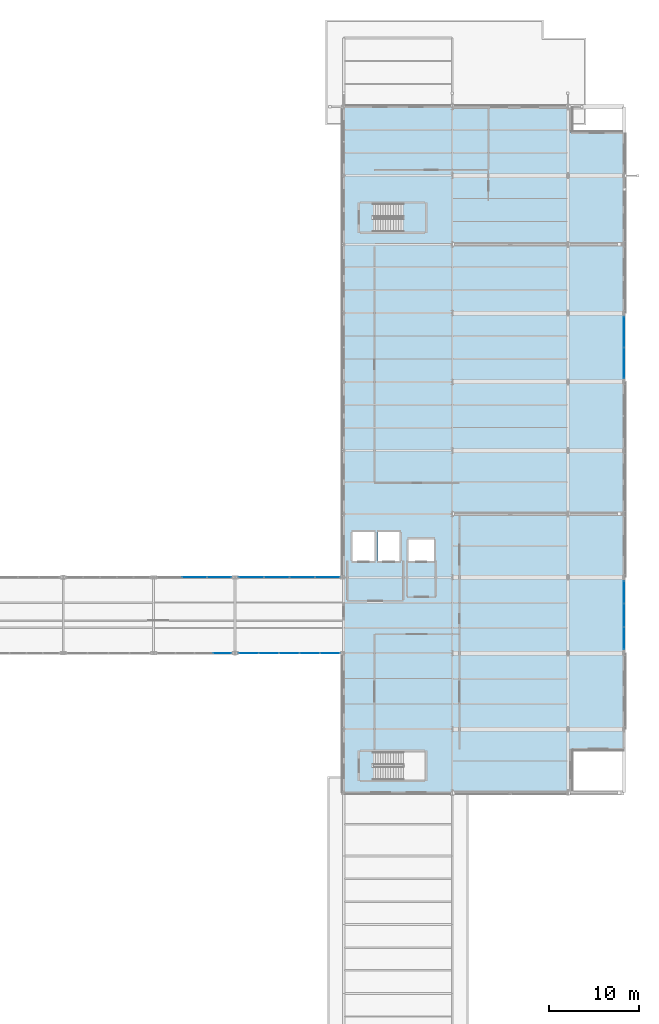
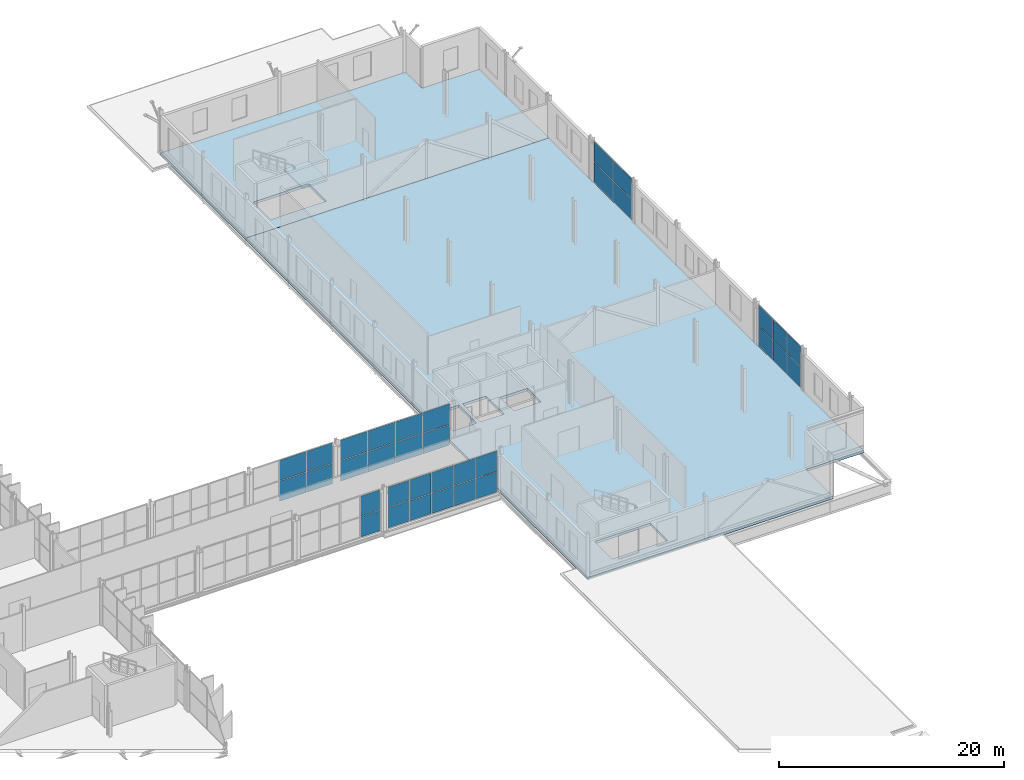
# One storey, part 85 of 120: 34 plates, 3 slabs, 7 elements without a shape of their own.
"""IFC4 building model written with IfcOpenShell, lengths in metres."""

from ifc_helpers import new_model, si_unit, direction, frame, origin, origin_2d, place, context, subcontext, project, spatial, polyline, rectangle, outline, extrude, material, layer, layer_set, type_object, element, aggregate, save


model = new_model("IFC4")

# Units and contexts
model_context = context("Model", 3, precision=1e-05, world=origin(), true_north=direction((0.0, 1.0)))
body_context = subcontext(model_context, "Body", "Model", "MODEL_VIEW")
ifc_project = project(units=[si_unit("LENGTHUNIT", "METRE"), si_unit("AREAUNIT", "SQUARE_METRE"), si_unit("VOLUMEUNIT", "CUBIC_METRE"), si_unit("PLANEANGLEUNIT", "RADIAN"), si_unit("MASSUNIT", "GRAM", prefix="KILO")], contexts=[model_context])

# Site, building, storey
site_placement = place(None, origin())
site = spatial("IfcSite", under=ifc_project, at=site_placement, CompositionType="ELEMENT")
building_placement = place(site_placement, origin())
building = spatial("IfcBuilding", under=site, at=building_placement, Name="Vekula Escarpment Museum", CompositionType="ELEMENT")
storey_placement = place(building_placement, frame((0.0, 0.0, 13.199951171875)))
storey = spatial("IfcBuildingStorey", under=building, at=storey_placement, Name="L03", CompositionType="ELEMENT", Elevation=13.199951171875)

# Curtain wall, plates
ifc_material_1 = material(Name="Aluminium thermally broken framing", Category="aluminium")
ifc_layer_1 = layer(ifc_material_1, 0.139892578125)
ifc_layer_set_1 = layer_set([ifc_layer_1], Name="Aluminium thermally broken framing")
curtain_wall_type_1 = type_object("IfcCurtainWallType", Name="CW-SYS-06", PredefinedType="NOTDEFINED", material=ifc_layer_set_1)
curtain_wall_1_placement = place(storey_placement, origin())
curtain_wall_1 = element("IfcCurtainWall", 1, at=curtain_wall_1_placement, inside=storey, type_object=curtain_wall_type_1, Name="Curtain Wall CW-L03-116", PredefinedType="NOTDEFINED")
ifc_material_2 = material(Name="Double solar-control low-E glass", Category="glass")
ifc_layer_2 = layer(ifc_material_2, 0.028076171875)
ifc_layer_set_2 = layer_set([ifc_layer_2], Name="Double solar-control low-E glass")
plate_type_1 = type_object("IfcPlateType", Name="CW-PNL-28", PredefinedType="CURTAIN_PANEL", material=ifc_layer_set_2)
plate_1_placement = place(storey_placement, frame((198.0, 100.094970703125, 0.06005859375), z_axis=(0.0, 0.0, 1.0), x_axis=(0.0, 1.0, 0.0)))
plate_1 = element("IfcPlate", 2, at=plate_1_placement, type_object=plate_type_1, Name="CW-06 panel 1.1", PredefinedType="CURTAIN_PANEL", context=body_context, shape_type="SweptSolid", body=[
    extrude(rectangle(XDim=3.35009765625, YDim=0.028076171875, at=origin_2d()), origin(), (0.0, 0.0, 1.0), 2.18994140625),
])
plate_2_placement = place(storey_placement, frame((198.0, 100.094970703125, 2.31005859375), z_axis=(0.0, 0.0, 1.0), x_axis=(0.0, 1.0, 0.0)))
plate_2 = element("IfcPlate", 3, at=plate_2_placement, type_object=plate_type_1, Name="CW-06 panel 1.2", PredefinedType="CURTAIN_PANEL", context=body_context, shape_type="SweptSolid", body=[
    extrude(rectangle(XDim=3.35009765625, YDim=0.028076171875, at=origin_2d()), origin(), (0.0, 0.0, 1.0), 2.18994140625),
])
plate_3_placement = place(storey_placement, frame((198.0, 103.5048828125, 0.06005859375), z_axis=(0.0, 0.0, 1.0), x_axis=(0.0, 1.0, 0.0)))
plate_3 = element("IfcPlate", 4, at=plate_3_placement, type_object=plate_type_1, Name="CW-06 panel 2.1", PredefinedType="CURTAIN_PANEL", context=body_context, shape_type="SweptSolid", body=[
    extrude(rectangle(XDim=3.35009765625, YDim=0.028076171875, at=origin_2d()), origin(), (0.0, 0.0, 1.0), 2.18994140625),
])
plate_4_placement = place(storey_placement, frame((198.0, 103.5048828125, 2.31005859375), z_axis=(0.0, 0.0, 1.0), x_axis=(0.0, 1.0, 0.0)))
plate_4 = element("IfcPlate", 5, at=plate_4_placement, type_object=plate_type_1, Name="CW-06 panel 2.2", PredefinedType="CURTAIN_PANEL", context=body_context, shape_type="SweptSolid", body=[
    extrude(rectangle(XDim=3.35009765625, YDim=0.028076171875, at=origin_2d()), origin(), (0.0, 0.0, 1.0), 2.18994140625),
])
aggregate(curtain_wall_1, [plate_1, plate_2, plate_3, plate_4])

ifc_material_3 = material(Name="Aluminium thermally broken framing", Category="aluminium")
ifc_layer_3 = layer(ifc_material_3, 0.199951171875)
ifc_layer_set_3 = layer_set([ifc_layer_3], Name="Aluminium thermally broken framing")
curtain_wall_type_2 = type_object("IfcCurtainWallType", Name="CW-SYS-03", PredefinedType="NOTDEFINED", material=ifc_layer_set_3)
curtain_wall_2_placement = place(storey_placement, origin())
curtain_wall_2 = element("IfcCurtainWall", 6, at=curtain_wall_2_placement, inside=storey, type_object=curtain_wall_type_2, Name="Curtain Wall CW-L03-113", PredefinedType="NOTDEFINED")
ifc_material_4 = material(Name="Acoustic laminated double low-E glass", Category="glass")
ifc_layer_4 = layer(ifc_material_4, 0.031982421875)
ifc_layer_set_4 = layer_set([ifc_layer_4], Name="Acoustic laminated double low-E glass")
plate_type_2 = type_object("IfcPlateType", Name="CW-PNL-32", PredefinedType="CURTAIN_PANEL", material=ifc_layer_set_4)
plate_5_placement = place(storey_placement, frame((153.590087890625, 68.0, 0.06005859375), z_axis=(0.0, 0.0, 1.0), x_axis=(1.0, 0.0, 0.0)))
plate_5 = element("IfcPlate", 7, at=plate_5_placement, type_object=plate_type_2, Name="CW-03 panel 4.1", PredefinedType="CURTAIN_PANEL", context=body_context, shape_type="SweptSolid", body=[
    extrude(rectangle(XDim=1.97998046875, YDim=0.031982421875, at=origin_2d()), origin(), (0.0, 0.0, 1.0), 2.18994140625),
])
plate_6_placement = place(storey_placement, frame((153.590087890625, 68.0, 2.31005859375), z_axis=(0.0, 0.0, 1.0), x_axis=(1.0, 0.0, 0.0)))
plate_6 = element("IfcPlate", 8, at=plate_6_placement, type_object=plate_type_2, Name="CW-03 panel 4.2", PredefinedType="CURTAIN_PANEL", context=body_context, shape_type="SweptSolid", body=[
    extrude(rectangle(XDim=1.97998046875, YDim=0.031982421875, at=origin_2d()), origin(), (0.0, 0.0, 1.0), 2.18994140625),
])
aggregate(curtain_wall_2, [plate_5, plate_6])

ifc_material_5 = material(Name="Aluminium thermally broken framing", Category="aluminium")
ifc_layer_5 = layer(ifc_material_5, 0.179931640625)
ifc_layer_set_5 = layer_set([ifc_layer_5], Name="Aluminium thermally broken framing")
curtain_wall_type_3 = type_object("IfcCurtainWallType", Name="CW-SYS-07", PredefinedType="NOTDEFINED", material=ifc_layer_set_5)
curtain_wall_3_placement = place(storey_placement, origin())
curtain_wall_3 = element("IfcCurtainWall", 9, at=curtain_wall_3_placement, inside=storey, type_object=curtain_wall_type_3, Name="Curtain Wall CW-L03-117", PredefinedType="NOTDEFINED")
plate_7_placement = place(storey_placement, frame((165.215087890625, 76.39990234375, 0.06005859375), z_axis=(0.0, 0.0, 1.0), x_axis=(-1.0, 0.0, 0.0)))
plate_7 = element("IfcPlate", 10, at=plate_7_placement, type_object=plate_type_2, Name="CW-07 panel 1.1", PredefinedType="CURTAIN_PANEL", context=body_context, shape_type="SweptSolid", body=[
    extrude(rectangle(XDim=2.72998046875, YDim=0.031982421875, at=origin_2d()), origin(), (0.0, 0.0, 1.0), 2.18994140625),
])
plate_8_placement = place(storey_placement, frame((165.215087890625, 76.39990234375, 2.31005859375), z_axis=(0.0, 0.0, 1.0), x_axis=(-1.0, 0.0, 0.0)))
plate_8 = element("IfcPlate", 11, at=plate_8_placement, type_object=plate_type_2, Name="CW-07 panel 1.2", PredefinedType="CURTAIN_PANEL", context=body_context, shape_type="SweptSolid", body=[
    extrude(rectangle(XDim=2.72998046875, YDim=0.031982421875, at=origin_2d()), origin(), (0.0, 0.0, 1.0), 2.18994140625),
])
plate_9_placement = place(storey_placement, frame((162.409912109375, 76.39990234375, 0.06005859375), z_axis=(0.0, 0.0, 1.0), x_axis=(-1.0, 0.0, 0.0)))
plate_9 = element("IfcPlate", 12, at=plate_9_placement, type_object=plate_type_2, Name="CW-07 panel 2.1", PredefinedType="CURTAIN_PANEL", context=body_context, shape_type="SweptSolid", body=[
    extrude(rectangle(XDim=2.760009765625, YDim=0.031982421875, at=origin_2d()), origin(), (0.0, 0.0, 1.0), 2.18994140625),
])
plate_10_placement = place(storey_placement, frame((162.409912109375, 76.39990234375, 2.31005859375), z_axis=(0.0, 0.0, 1.0), x_axis=(-1.0, 0.0, 0.0)))
plate_10 = element("IfcPlate", 13, at=plate_10_placement, type_object=plate_type_2, Name="CW-07 panel 2.2", PredefinedType="CURTAIN_PANEL", context=body_context, shape_type="SweptSolid", body=[
    extrude(rectangle(XDim=2.760009765625, YDim=0.031982421875, at=origin_2d()), origin(), (0.0, 0.0, 1.0), 2.18994140625),
])
plate_11_placement = place(storey_placement, frame((159.590087890625, 76.39990234375, 0.06005859375), z_axis=(0.0, 0.0, 1.0), x_axis=(-1.0, 0.0, 0.0)))
plate_11 = element("IfcPlate", 14, at=plate_11_placement, type_object=plate_type_2, Name="CW-07 panel 3.1", PredefinedType="CURTAIN_PANEL", context=body_context, shape_type="SweptSolid", body=[
    extrude(rectangle(XDim=2.760009765625, YDim=0.031982421875, at=origin_2d()), origin(), (0.0, 0.0, 1.0), 2.18994140625),
])
plate_12_placement = place(storey_placement, frame((159.590087890625, 76.39990234375, 2.31005859375), z_axis=(0.0, 0.0, 1.0), x_axis=(-1.0, 0.0, 0.0)))
plate_12 = element("IfcPlate", 15, at=plate_12_placement, type_object=plate_type_2, Name="CW-07 panel 3.2", PredefinedType="CURTAIN_PANEL", context=body_context, shape_type="SweptSolid", body=[
    extrude(rectangle(XDim=2.760009765625, YDim=0.031982421875, at=origin_2d()), origin(), (0.0, 0.0, 1.0), 2.18994140625),
])
plate_13_placement = place(storey_placement, frame((156.784912109375, 76.39990234375, 0.06005859375), z_axis=(0.0, 0.0, 1.0), x_axis=(-1.0, 0.0, 0.0)))
plate_13 = element("IfcPlate", 16, at=plate_13_placement, type_object=plate_type_2, Name="CW-07 panel 4.1", PredefinedType="CURTAIN_PANEL", context=body_context, shape_type="SweptSolid", body=[
    extrude(rectangle(XDim=2.72998046875, YDim=0.031982421875, at=origin_2d()), origin(), (0.0, 0.0, 1.0), 2.18994140625),
])
plate_14_placement = place(storey_placement, frame((156.784912109375, 76.39990234375, 2.31005859375), z_axis=(0.0, 0.0, 1.0), x_axis=(-1.0, 0.0, 0.0)))
plate_14 = element("IfcPlate", 17, at=plate_14_placement, type_object=plate_type_2, Name="CW-07 panel 4.2", PredefinedType="CURTAIN_PANEL", context=body_context, shape_type="SweptSolid", body=[
    extrude(rectangle(XDim=2.72998046875, YDim=0.031982421875, at=origin_2d()), origin(), (0.0, 0.0, 1.0), 2.18994140625),
])
aggregate(curtain_wall_3, [plate_7, plate_8, plate_9, plate_10, plate_11, plate_12, plate_13, plate_14])

ifc_material_6 = material(Name="Aluminium thermally broken framing", Category="aluminium")
ifc_layer_6 = layer(ifc_material_6, 0.199951171875)
ifc_layer_set_6 = layer_set([ifc_layer_6], Name="Aluminium thermally broken framing")
curtain_wall_type_4 = type_object("IfcCurtainWallType", Name="CW-SYS-04", PredefinedType="NOTDEFINED", material=ifc_layer_set_6)
curtain_wall_4_placement = place(storey_placement, origin())
curtain_wall_4 = element("IfcCurtainWall", 18, at=curtain_wall_4_placement, inside=storey, type_object=curtain_wall_type_4, Name="Curtain Wall CW-L03-114", PredefinedType="NOTDEFINED")
ifc_material_7 = material(Name="Triple UV-filtered museum gallery glass", Category="glass")
ifc_layer_7 = layer(ifc_material_7, 0.035888671875)
ifc_layer_set_7 = layer_set([ifc_layer_7], Name="Triple UV-filtered museum gallery glass")
plate_type_3 = type_object("IfcPlateType", Name="CW-PNL-36", PredefinedType="CURTAIN_PANEL", material=ifc_layer_set_7)
plate_15_placement = place(storey_placement, frame((156.5029296875, 68.0, 0.06005859375), z_axis=(0.0, 0.0, 1.0), x_axis=(1.0, 0.0, 0.0)))
plate_15 = element("IfcPlate", 19, at=plate_15_placement, type_object=plate_type_3, Name="CW-04 panel 1.1", PredefinedType="CURTAIN_PANEL", context=body_context, shape_type="SweptSolid", body=[
    extrude(rectangle(XDim=2.166015625, YDim=0.035888671875, at=origin_2d()), origin(), (0.0, 0.0, 1.0), 2.18994140625),
])
plate_16_placement = place(storey_placement, frame((156.5029296875, 68.0, 2.31005859375), z_axis=(0.0, 0.0, 1.0), x_axis=(1.0, 0.0, 0.0)))
plate_16 = element("IfcPlate", 20, at=plate_16_placement, type_object=plate_type_3, Name="CW-04 panel 1.2", PredefinedType="CURTAIN_PANEL", context=body_context, shape_type="SweptSolid", body=[
    extrude(rectangle(XDim=2.166015625, YDim=0.035888671875, at=origin_2d()), origin(), (0.0, 0.0, 1.0), 2.18994140625),
])
plate_17_placement = place(storey_placement, frame((158.743896484375, 68.0, 0.06005859375), z_axis=(0.0, 0.0, 1.0), x_axis=(1.0, 0.0, 0.0)))
plate_17 = element("IfcPlate", 21, at=plate_17_placement, type_object=plate_type_3, Name="CW-04 panel 2.1", PredefinedType="CURTAIN_PANEL", context=body_context, shape_type="SweptSolid", body=[
    extrude(rectangle(XDim=2.196044921875, YDim=0.035888671875, at=origin_2d()), origin(), (0.0, 0.0, 1.0), 2.18994140625),
])
plate_18_placement = place(storey_placement, frame((158.743896484375, 68.0, 2.31005859375), z_axis=(0.0, 0.0, 1.0), x_axis=(1.0, 0.0, 0.0)))
plate_18 = element("IfcPlate", 22, at=plate_18_placement, type_object=plate_type_3, Name="CW-04 panel 2.2", PredefinedType="CURTAIN_PANEL", context=body_context, shape_type="SweptSolid", body=[
    extrude(rectangle(XDim=2.196044921875, YDim=0.035888671875, at=origin_2d()), origin(), (0.0, 0.0, 1.0), 2.18994140625),
])
plate_19_placement = place(storey_placement, frame((161.0, 68.0, 0.06005859375), z_axis=(0.0, 0.0, 1.0), x_axis=(1.0, 0.0, 0.0)))
plate_19 = element("IfcPlate", 23, at=plate_19_placement, type_object=plate_type_3, Name="CW-04 panel 3.1", PredefinedType="CURTAIN_PANEL", context=body_context, shape_type="SweptSolid", body=[
    extrude(rectangle(XDim=2.196044921875, YDim=0.035888671875, at=origin_2d()), origin(), (0.0, 0.0, 1.0), 2.18994140625),
])
plate_20_placement = place(storey_placement, frame((161.0, 68.0, 2.31005859375), z_axis=(0.0, 0.0, 1.0), x_axis=(1.0, 0.0, 0.0)))
plate_20 = element("IfcPlate", 24, at=plate_20_placement, type_object=plate_type_3, Name="CW-04 panel 3.2", PredefinedType="CURTAIN_PANEL", context=body_context, shape_type="SweptSolid", body=[
    extrude(rectangle(XDim=2.196044921875, YDim=0.035888671875, at=origin_2d()), origin(), (0.0, 0.0, 1.0), 2.18994140625),
])
plate_21_placement = place(storey_placement, frame((163.256103515625, 68.0, 0.06005859375), z_axis=(0.0, 0.0, 1.0), x_axis=(1.0, 0.0, 0.0)))
plate_21 = element("IfcPlate", 25, at=plate_21_placement, type_object=plate_type_3, Name="CW-04 panel 4.1", PredefinedType="CURTAIN_PANEL", context=body_context, shape_type="SweptSolid", body=[
    extrude(rectangle(XDim=2.196044921875, YDim=0.035888671875, at=origin_2d()), origin(), (0.0, 0.0, 1.0), 2.18994140625),
])
plate_22_placement = place(storey_placement, frame((163.256103515625, 68.0, 2.31005859375), z_axis=(0.0, 0.0, 1.0), x_axis=(1.0, 0.0, 0.0)))
plate_22 = element("IfcPlate", 26, at=plate_22_placement, type_object=plate_type_3, Name="CW-04 panel 4.2", PredefinedType="CURTAIN_PANEL", context=body_context, shape_type="SweptSolid", body=[
    extrude(rectangle(XDim=2.196044921875, YDim=0.035888671875, at=origin_2d()), origin(), (0.0, 0.0, 1.0), 2.18994140625),
])
plate_23_placement = place(storey_placement, frame((165.4970703125, 68.0, 0.06005859375), z_axis=(0.0, 0.0, 1.0), x_axis=(1.0, 0.0, 0.0)))
plate_23 = element("IfcPlate", 27, at=plate_23_placement, type_object=plate_type_3, Name="CW-04 panel 5.1", PredefinedType="CURTAIN_PANEL", context=body_context, shape_type="SweptSolid", body=[
    extrude(rectangle(XDim=2.166015625, YDim=0.035888671875, at=origin_2d()), origin(), (0.0, 0.0, 1.0), 2.18994140625),
])
plate_24_placement = place(storey_placement, frame((165.4970703125, 68.0, 2.31005859375), z_axis=(0.0, 0.0, 1.0), x_axis=(1.0, 0.0, 0.0)))
plate_24 = element("IfcPlate", 28, at=plate_24_placement, type_object=plate_type_3, Name="CW-04 panel 5.2", PredefinedType="CURTAIN_PANEL", context=body_context, shape_type="SweptSolid", body=[
    extrude(rectangle(XDim=2.166015625, YDim=0.035888671875, at=origin_2d()), origin(), (0.0, 0.0, 1.0), 2.18994140625),
])
aggregate(curtain_wall_4, [plate_15, plate_16, plate_17, plate_18, plate_19, plate_20, plate_21, plate_22, plate_23, plate_24])

ifc_material_8 = material(Name="Aluminium thermally broken framing", Category="aluminium")
ifc_layer_8 = layer(ifc_material_8, 0.179931640625)
ifc_layer_set_8 = layer_set([ifc_layer_8], Name="Aluminium thermally broken framing")
curtain_wall_type_5 = type_object("IfcCurtainWallType", Name="CW-SYS-08", PredefinedType="NOTDEFINED", material=ifc_layer_set_8)
curtain_wall_5_placement = place(storey_placement, origin())
curtain_wall_5 = element("IfcCurtainWall", 29, at=curtain_wall_5_placement, inside=storey, type_object=curtain_wall_type_5, Name="Curtain Wall CW-L03-118", PredefinedType="NOTDEFINED")
plate_25_placement = place(storey_placement, frame((153.2451171875, 76.39990234375, 0.06005859375), z_axis=(0.0, 0.0, 1.0), x_axis=(-1.0, 0.0, 0.0)))
plate_25 = element("IfcPlate", 30, at=plate_25_placement, type_object=plate_type_3, Name="CW-08 panel 1.1", PredefinedType="CURTAIN_PANEL", context=body_context, shape_type="SweptSolid", body=[
    extrude(rectangle(XDim=2.669921875, YDim=0.035888671875, at=origin_2d()), origin(), (0.0, 0.0, 1.0), 2.18994140625),
])
plate_26_placement = place(storey_placement, frame((153.2451171875, 76.39990234375, 2.31005859375), z_axis=(0.0, 0.0, 1.0), x_axis=(-1.0, 0.0, 0.0)))
plate_26 = element("IfcPlate", 31, at=plate_26_placement, type_object=plate_type_3, Name="CW-08 panel 1.2", PredefinedType="CURTAIN_PANEL", context=body_context, shape_type="SweptSolid", body=[
    extrude(rectangle(XDim=2.669921875, YDim=0.035888671875, at=origin_2d()), origin(), (0.0, 0.0, 1.0), 2.18994140625),
])
plate_27_placement = place(storey_placement, frame((150.5, 76.39990234375, 0.06005859375), z_axis=(0.0, 0.0, 1.0), x_axis=(-1.0, 0.0, 0.0)))
plate_27 = element("IfcPlate", 32, at=plate_27_placement, type_object=plate_type_3, Name="CW-08 panel 2.1", PredefinedType="CURTAIN_PANEL", context=body_context, shape_type="SweptSolid", body=[
    extrude(rectangle(XDim=2.699951171875, YDim=0.035888671875, at=origin_2d()), origin(), (0.0, 0.0, 1.0), 2.18994140625),
])
plate_28_placement = place(storey_placement, frame((150.5, 76.39990234375, 2.31005859375), z_axis=(0.0, 0.0, 1.0), x_axis=(-1.0, 0.0, 0.0)))
plate_28 = element("IfcPlate", 33, at=plate_28_placement, type_object=plate_type_3, Name="CW-08 panel 2.2", PredefinedType="CURTAIN_PANEL", context=body_context, shape_type="SweptSolid", body=[
    extrude(rectangle(XDim=2.699951171875, YDim=0.035888671875, at=origin_2d()), origin(), (0.0, 0.0, 1.0), 2.18994140625),
])
aggregate(curtain_wall_5, [plate_25, plate_26, plate_27, plate_28])

ifc_material_9 = material(Name="Aluminium thermally broken framing", Category="aluminium")
ifc_layer_9 = layer(ifc_material_9, 0.159912109375)
ifc_layer_set_9 = layer_set([ifc_layer_9], Name="Aluminium thermally broken framing")
curtain_wall_type_6 = type_object("IfcCurtainWallType", Name="CW-SYS-05", PredefinedType="NOTDEFINED", material=ifc_layer_set_9)
curtain_wall_6_placement = place(storey_placement, origin())
curtain_wall_6 = element("IfcCurtainWall", 34, at=curtain_wall_6_placement, inside=storey, type_object=curtain_wall_type_6, Name="Curtain Wall CW-L03-115", PredefinedType="NOTDEFINED")
ifc_material_10 = material(Name="Insulated bronze spandrel glass panel", Category="glass")
ifc_layer_10 = layer(ifc_material_10, 0.0400390625)
ifc_layer_set_10 = layer_set([ifc_layer_10], Name="Insulated bronze spandrel glass panel")
plate_type_4 = type_object("IfcPlateType", Name="CW-PNL-40", PredefinedType="CURTAIN_PANEL", material=ifc_layer_set_10)
plate_29_placement = place(storey_placement, frame((198.0, 69.655029296875, 0.06005859375), z_axis=(0.0, 0.0, 1.0), x_axis=(0.0, 1.0, 0.0)))
plate_29 = element("IfcPlate", 35, at=plate_29_placement, type_object=plate_type_4, Name="CW-05 panel 1.1", PredefinedType="CURTAIN_PANEL", context=body_context, shape_type="SweptSolid", body=[
    extrude(rectangle(XDim=2.469970703125, YDim=0.0400390625, at=origin_2d()), origin(), (0.0, 0.0, 1.0), 2.18994140625),
])
plate_30_placement = place(storey_placement, frame((198.0, 69.655029296875, 2.31005859375), z_axis=(0.0, 0.0, 1.0), x_axis=(0.0, 1.0, 0.0)))
plate_30 = element("IfcPlate", 36, at=plate_30_placement, type_object=plate_type_4, Name="CW-05 panel 1.2", PredefinedType="CURTAIN_PANEL", context=body_context, shape_type="SweptSolid", body=[
    extrude(rectangle(XDim=2.469970703125, YDim=0.0400390625, at=origin_2d()), origin(), (0.0, 0.0, 1.0), 2.18994140625),
])
plate_31_placement = place(storey_placement, frame((198.0, 72.199951171875, 0.06005859375), z_axis=(0.0, 0.0, 1.0), x_axis=(0.0, 1.0, 0.0)))
plate_31 = element("IfcPlate", 37, at=plate_31_placement, type_object=plate_type_4, Name="CW-05 panel 2.1", PredefinedType="CURTAIN_PANEL", context=body_context, shape_type="SweptSolid", body=[
    extrude(rectangle(XDim=2.5, YDim=0.0400390625, at=origin_2d()), origin(), (0.0, 0.0, 1.0), 2.18994140625),
])
plate_32_placement = place(storey_placement, frame((198.0, 72.199951171875, 2.31005859375), z_axis=(0.0, 0.0, 1.0), x_axis=(0.0, 1.0, 0.0)))
plate_32 = element("IfcPlate", 38, at=plate_32_placement, type_object=plate_type_4, Name="CW-05 panel 2.2", PredefinedType="CURTAIN_PANEL", context=body_context, shape_type="SweptSolid", body=[
    extrude(rectangle(XDim=2.5, YDim=0.0400390625, at=origin_2d()), origin(), (0.0, 0.0, 1.0), 2.18994140625),
])
plate_33_placement = place(storey_placement, frame((198.0, 74.7451171875, 0.06005859375), z_axis=(0.0, 0.0, 1.0), x_axis=(0.0, 1.0, 0.0)))
plate_33 = element("IfcPlate", 39, at=plate_33_placement, type_object=plate_type_4, Name="CW-05 panel 3.1", PredefinedType="CURTAIN_PANEL", context=body_context, shape_type="SweptSolid", body=[
    extrude(rectangle(XDim=2.469970703125, YDim=0.0400390625, at=origin_2d()), origin(), (0.0, 0.0, 1.0), 2.18994140625),
])
plate_34_placement = place(storey_placement, frame((198.0, 74.7451171875, 2.31005859375), z_axis=(0.0, 0.0, 1.0), x_axis=(0.0, 1.0, 0.0)))
plate_34 = element("IfcPlate", 40, at=plate_34_placement, type_object=plate_type_4, Name="CW-05 panel 3.2", PredefinedType="CURTAIN_PANEL", context=body_context, shape_type="SweptSolid", body=[
    extrude(rectangle(XDim=2.469970703125, YDim=0.0400390625, at=origin_2d()), origin(), (0.0, 0.0, 1.0), 2.18994140625),
])
aggregate(curtain_wall_6, [plate_29, plate_30, plate_31, plate_32, plate_33, plate_34])

# Slabs
ifc_material_11 = material(Name="Concrete C35/45", Category="concrete")
ifc_layer_11 = layer(ifc_material_11, 0.280029296875)
ifc_layer_set_11 = layer_set([ifc_layer_11], Name="Concrete C35/45")
slab_type_1 = type_object("IfcSlabType", Name="SL-CUM-280", PredefinedType="FLOOR", material=ifc_layer_set_11)
slab_1_placement = place(storey_placement, frame((0.0, 0.0, -0.280029296875)))
element("IfcSlab", 41, at=slab_1_placement, inside=storey, type_object=slab_type_1, Name="Floor Slab W-L03-V3-NE", PredefinedType="FLOOR", context=body_context, shape_type="SweptSolid", body=[
    extrude(outline(polyline([(167.0, 113.199951171875), (198.0, 113.199951171875), (198.0, 125.511962890625), (192.110107421875, 125.511962890625), (192.110107421875, 128.39990234375), (167.0, 128.39990234375), (167.0, 113.199951171875)]), holes=[polyline([(170.31005859375, 114.60009765625), (176.0, 114.60009765625), (176.0, 117.699951171875), (170.31005859375, 117.699951171875), (170.31005859375, 114.60009765625)])]), origin(), (0.0, 0.0, 1.0), 0.280029296875),
])
slab_2_placement = place(storey_placement, frame((0.0, 0.0, -0.280029296875)))
element("IfcSlab", 42, at=slab_2_placement, inside=storey, type_object=slab_type_1, Name="Floor Slab W-L03-V3-E", PredefinedType="FLOOR", context=body_context, shape_type="SweptSolid", body=[
    extrude(outline(polyline([(167.0, 52.60009765625), (192.110107421875, 52.60009765625), (192.110107421875, 57.39990234375), (198.0, 57.39990234375), (198.0, 113.199951171875), (167.0, 113.199951171875), (167.0, 52.60009765625)]), holes=[polyline([(170.31005859375, 54.0), (176.0, 54.0), (176.0, 57.10009765625), (170.31005859375, 57.10009765625), (170.31005859375, 54.0)]), polyline([(168.0, 78.199951171875), (170.39990234375, 78.199951171875), (170.39990234375, 81.39990234375), (168.0, 81.39990234375), (168.0, 78.199951171875)]), polyline([(170.800048828125, 78.199951171875), (173.199951171875, 78.199951171875), (173.199951171875, 81.39990234375), (170.800048828125, 81.39990234375), (170.800048828125, 78.199951171875)]), polyline([(174.199951171875, 78.199951171875), (177.0, 78.199951171875), (177.0, 80.60009765625), (174.199951171875, 80.60009765625), (174.199951171875, 78.199951171875)])]), origin(), (0.0, 0.0, 1.0), 0.280029296875),
])

# Stair, slab
ifc_material_12 = material(Name="Concrete C35/45", Category="concrete")
stair_type = type_object("IfcStairType", Name="STR-TYPE-145", PredefinedType="HALF_TURN_STAIR", material=ifc_material_12)
stair_placement = place(storey_placement, origin())
stair = element("IfcStair", 43, at=stair_placement, inside=storey, type_object=stair_type, Name="L03 Northeast Cumba Exit Stair ST-05", PredefinedType="HALF_TURN_STAIR")
ifc_material_13 = material(Name="Concrete C35/45", Category="concrete")
ifc_layer_12 = layer(ifc_material_13, 0.199951171875)
ifc_layer_set_12 = layer_set([ifc_layer_12], Name="Concrete C35/45")
slab_type_2 = type_object("IfcSlabType", Name="SL-LAND-200", PredefinedType="LANDING", material=ifc_layer_set_12)
slab_3_placement = place(storey_placement, frame((0.0, 0.0, 2.199951171875)))
slab_3 = element("IfcSlab", 44, at=slab_3_placement, type_object=slab_type_2, Name="ST-05 landing 1", PredefinedType="LANDING", context=body_context, shape_type="SweptSolid", body=[
    extrude(outline(polyline([(173.52001953125, 114.510009765625), (176.090087890625, 114.510009765625), (176.090087890625, 117.7900390625), (173.52001953125, 117.7900390625), (173.52001953125, 114.510009765625)])), origin(), (0.0, 0.0, 1.0), 0.2001953125),
])
aggregate(stair, [slab_3])

save(model, "model.ifc")
